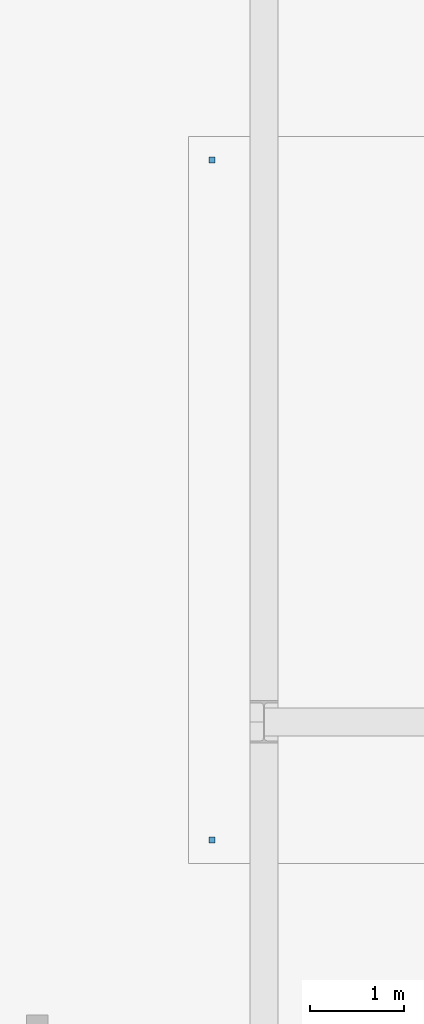
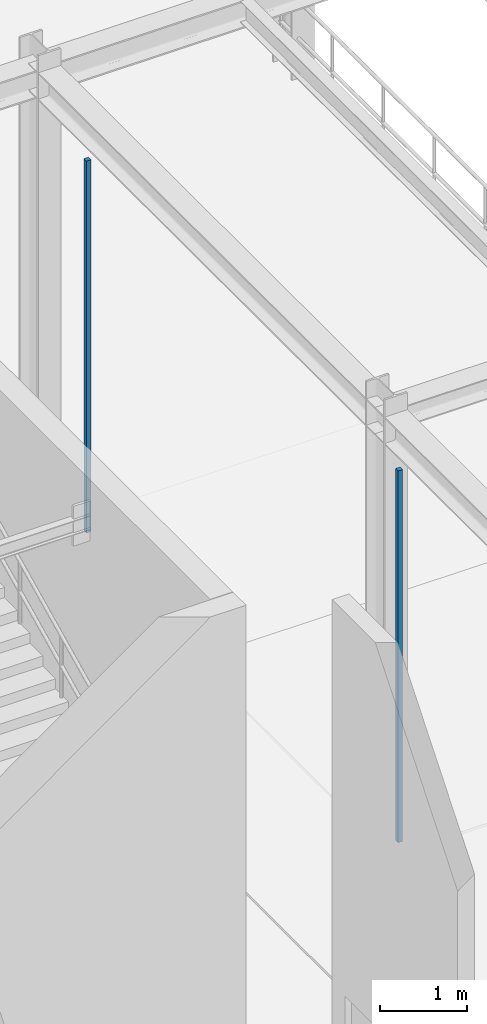
# One storey, part 104 of 138: 2 discrete accessories.
"""IFC4 building model written with IfcOpenShell, lengths in metres."""

from ifc_helpers import new_model, si_unit, direction, frame, origin, origin_2d, place, context, subcontext, project, spatial, rectangle, extrude, material, type_object, element, save


model = new_model("IFC4")

# Units and contexts
model_context = context("Model", 3, precision=1e-05, world=origin(), true_north=direction((0.0, 1.0)))
body_context = subcontext(model_context, "Body", "Model", "MODEL_VIEW")
ifc_project = project(units=[si_unit("LENGTHUNIT", "METRE"), si_unit("AREAUNIT", "SQUARE_METRE"), si_unit("VOLUMEUNIT", "CUBIC_METRE"), si_unit("PLANEANGLEUNIT", "RADIAN"), si_unit("MASSUNIT", "GRAM", prefix="KILO")], contexts=[model_context])

# Site, building, storey
site_placement = place(None, origin())
site = spatial("IfcSite", under=ifc_project, at=site_placement, CompositionType="ELEMENT")
building_placement = place(site_placement, origin())
building = spatial("IfcBuilding", under=site, at=building_placement, Name="Sundkrona Museum", CompositionType="ELEMENT")
storey_placement = place(building_placement, frame((0.0, 0.0, 9.60009765625)))
storey = spatial("IfcBuildingStorey", under=building, at=storey_placement, Name="L02", CompositionType="ELEMENT", Elevation=9.60009765625)

# Discrete accessories
ifc_material = material(Name="Stainless Steel EN 1.4404 Cleat", Category="steel")
discrete_accessory_type = type_object("IfcDiscreteAccessoryType", Name="BRK-FIN-01", PredefinedType="BRACKET", material=ifc_material)
for number, where, z_axis, x_axis, name in (
    (1, (127.449951171875, 6.75, 2.5498046875), (0.0, 0.0, 1.0), (1.0, 0.0, 0.0), "L02 Paleontology Exhibition Hall Ceiling Hanger 1"),
    (2, (127.449951171875, 13.949951171875, 2.5498046875), (0.0, 0.0, 1.0), (1.0, 0.0, 0.0), "L02 Paleontology Exhibition Hall Ceiling Hanger 4"),
):
    element("IfcDiscreteAccessory", number, at=place(storey_placement, frame(where, z_axis=z_axis, x_axis=x_axis)), inside=storey, type_object=discrete_accessory_type, Name=name, PredefinedType="BRACKET", context=body_context, shape_type="SweptSolid", body=[
        extrude(rectangle(XDim=0.06005859375, YDim=0.06005859375, at=origin_2d()), origin(), (0.0, 0.0, 1.0), 5.239990234375),
    ])

save(model, "model.ifc")
